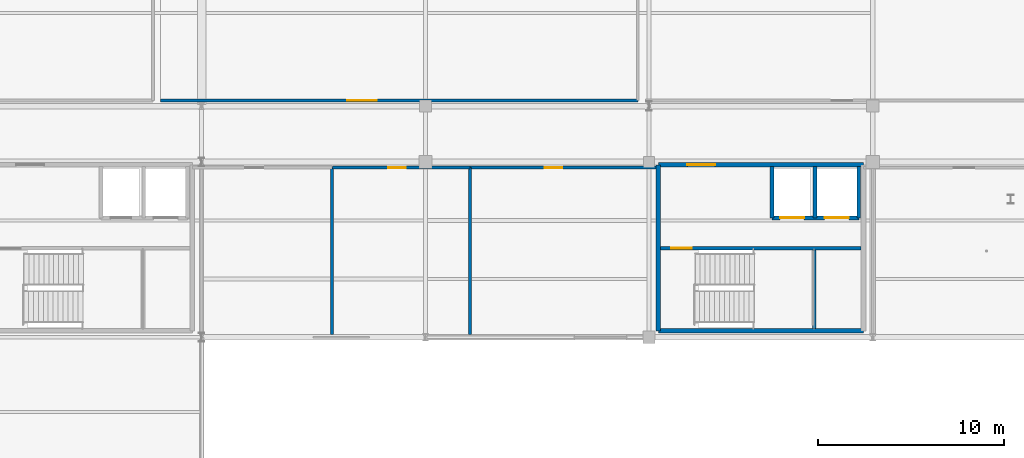
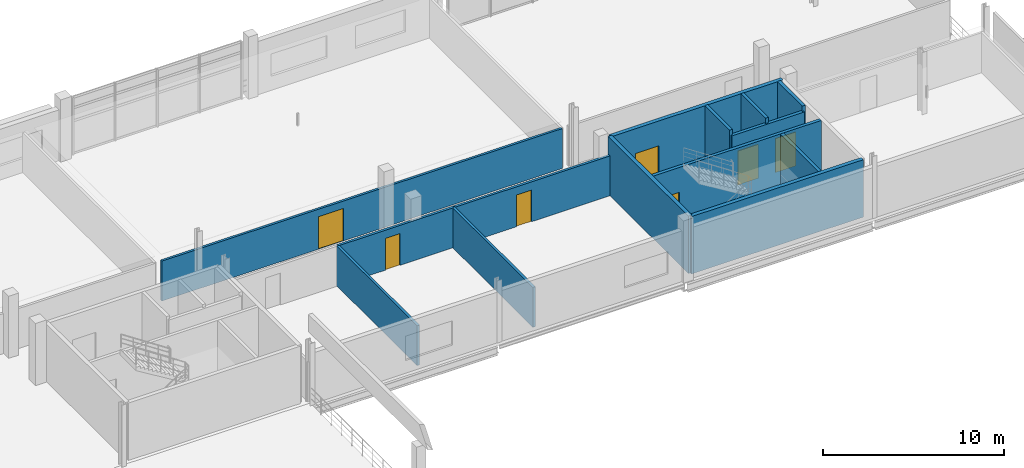
# One storey, part 68 of 89: 14 walls, 7 doors, 7 openings.
"""IFC4 building model written with IfcOpenShell, lengths in metres."""

from ifc_helpers import new_model, si_unit, direction, frame, frame_2d, origin, place, context, subcontext, project, spatial, rectangle, extrude, material, layer, layer_set, type_object, element, fill, save


model = new_model("IFC4")

# Units and contexts
model_context = context("Model", 3, precision=1e-05, world=origin(), true_north=direction((0.0, 1.0)))
body_context = subcontext(model_context, "Body", "Model", "MODEL_VIEW")
ifc_project = project(units=[si_unit("LENGTHUNIT", "METRE"), si_unit("AREAUNIT", "SQUARE_METRE"), si_unit("VOLUMEUNIT", "CUBIC_METRE"), si_unit("PLANEANGLEUNIT", "RADIAN"), si_unit("MASSUNIT", "GRAM", prefix="KILO"), si_unit("THERMODYNAMICTEMPERATUREUNIT", "KELVIN"), si_unit("POWERUNIT", "WATT")], contexts=[model_context])

# Site, building, storey
site_placement = place(None, origin())
site = spatial("IfcSite", under=ifc_project, at=site_placement, CompositionType="ELEMENT")
building_placement = place(site_placement, origin())
building = spatial("IfcBuilding", under=site, at=building_placement, Name="Solmara Park Aquatics Centre", CompositionType="ELEMENT")
storey_placement = place(building_placement, frame((0.0, 0.0, 5.39990234375)))
storey = spatial("IfcBuildingStorey", under=building, at=storey_placement, Name="L01", CompositionType="ELEMENT", Elevation=5.39990234375)

# Wall
ifc_material_1 = material(Name="Concrete C40/50", Category="concrete")
ifc_layer_1 = layer(ifc_material_1, 0.25, Name="Concrete C40/50")
ifc_layer_set_1 = layer_set([ifc_layer_1], Name="Concrete C40/50")
wall_type_1 = type_object("IfcWallType", Name="ARC-WL-CORE250", PredefinedType="SHEAR", material=ifc_layer_set_1)
wall_1_placement = place(storey_placement, frame((85.10009765625, 108.949951171875, 0.0), z_axis=(0.0, 0.0, 1.0), x_axis=(1.0, 0.0, 0.0)))
element("IfcWall", 1, at=wall_1_placement, inside=storey, type_object=wall_type_1, Name="CORE-2 Core Wall S L01", PredefinedType="SHEAR", context=body_context, shape_type="SweptSolid", body=[
    extrude(rectangle(XDim=11.0, YDim=0.25, at=frame_2d((5.5, 0.0))), origin(), (0.0, 0.0, 1.0), 3.880126953125),
])

# Wall, opening, door
wall_2_placement = place(storey_placement, frame((85.10009765625, 117.85009765625, 0.0), z_axis=(0.0, 0.0, 1.0), x_axis=(1.0, 0.0, 0.0)))
wall_2 = element("IfcWall", 2, at=wall_2_placement, inside=storey, type_object=wall_type_1, Name="CORE-2 Core Wall N L01", PredefinedType="SHEAR", context=body_context, shape_type="SweptSolid", body=[
    extrude(rectangle(XDim=11.0, YDim=0.25, at=frame_2d((5.5, 0.0))), origin(), (0.0, 0.0, 1.0), 3.880126953125),
])
opening_1_placement = place(wall_2_placement, frame((1.550048828125, 0.0, 0.0)))
opening_1 = element("IfcOpeningElement", 3, at=opening_1_placement, cuts=wall_2, Name="Opening D-12", PredefinedType="OPENING", context=body_context, shape_type="SweptSolid", body=[
    extrude(rectangle(XDim=1.5, YDim=2.199951171875, at=frame_2d((0.75, 1.10009765625))), frame((0.0, 0.135009765625, 0.0), z_axis=(0.0, -1.0, 0.0), x_axis=(1.0, 0.0, 0.0)), (0.0, 0.0, 1.0), 0.27001953125),
])
ifc_material_2 = material(Name="Moisture-Resistant HPL & Hardwood", Category="wood")
door_type_1 = type_object("IfcDoorType", Name="ARC-DR-FD150x220", OperationType="DOUBLE_DOOR_SINGLE_SWING", PredefinedType="DOOR", material=ifc_material_2)
door_1_placement = place(opening_1_placement, origin())
door_1 = element("IfcDoor", 4, at=door_1_placement, inside=storey, type_object=door_type_1, Name="CORE-2 Lobby Entry Fire Door L01", OperationType="DOUBLE_DOOR_SINGLE_SWING", OverallHeight=2.199951171875, OverallWidth=1.5, PredefinedType="DOOR", context=body_context, shape_type="SweptSolid", body=[
    extrude(rectangle(XDim=1.5, YDim=2.199951171875, at=frame_2d((0.75, 1.10009765625))), frame((0.0, 0.02490234375, 0.0), z_axis=(0.0, -1.0, 0.0), x_axis=(1.0, 0.0, 0.0)), (0.0, 0.0, 1.0), 0.050048828125),
])
fill(opening_1, door_1)

# Wall
wall_3_placement = place(storey_placement, frame((85.10009765625, 108.949951171875, 0.0), z_axis=(0.0, 0.0, 1.0), x_axis=(0.0, 1.0, 0.0)))
element("IfcWall", 5, at=wall_3_placement, inside=storey, type_object=wall_type_1, Name="CORE-2 Core Wall W L01", PredefinedType="SHEAR", context=body_context, shape_type="SweptSolid", body=[
    extrude(rectangle(XDim=8.900146484375, YDim=0.25, at=frame_2d((4.4501953125, 0.0))), origin(), (0.0, 0.0, 1.0), 3.880126953125),
])

# Wall, openings, doors
ifc_material_3 = material(Name="Concrete C25/30 Autoclaved Aerated Fire Blockwork", Category="masonry")
ifc_layer_2 = layer(ifc_material_3, 0.199951171875, Name="Concrete C25/30 Autoclaved Aerated Fire Blockwork")
ifc_layer_set_2 = layer_set([ifc_layer_2], Name="Concrete C25/30 Autoclaved Aerated Fire Blockwork")
wall_type_2 = type_object("IfcWallType", Name="ARC-WL-FIRE200", PredefinedType="SOLIDWALL", material=ifc_layer_set_2)
wall_4_placement = place(storey_placement, frame((91.199951171875, 115.0, 0.0), z_axis=(0.0, 0.0, 1.0), x_axis=(1.0, 0.0, 0.0)))
wall_4 = element("IfcWall", 6, at=wall_4_placement, inside=storey, type_object=wall_type_2, Name="CORE-2 Lift Shaft Front Wall L01", PredefinedType="SOLIDWALL", context=body_context, shape_type="SweptSolid", body=[
    extrude(rectangle(XDim=4.650146484375, YDim=0.199951171875, at=frame_2d((2.3251953125, 0.0))), origin(), (0.0, 0.0, 1.0), 3.52001953125),
])
opening_2_placement = place(wall_4_placement, frame((2.824951171875, 0.0, 0.0)))
opening_2 = element("IfcOpeningElement", 7, at=opening_2_placement, cuts=wall_4, Name="Opening D-10", PredefinedType="OPENING", context=body_context, shape_type="SweptSolid", body=[
    extrude(rectangle(XDim=1.300048828125, YDim=2.300048828125, at=frame_2d((0.64990234375, 1.14990234375))), frame((0.0, 0.10986328125, 0.0), z_axis=(0.0, -1.0, 0.0), x_axis=(1.0, 0.0, 0.0)), (0.0, 0.0, 1.0), 0.219970703125),
])
opening_3_placement = place(wall_4_placement, frame((0.425048828125, 0.0, 0.0)))
opening_3 = element("IfcOpeningElement", 8, at=opening_3_placement, cuts=wall_4, Name="Opening D-10", PredefinedType="OPENING", context=body_context, shape_type="SweptSolid", body=[
    extrude(rectangle(XDim=1.300048828125, YDim=2.300048828125, at=frame_2d((0.64990234375, 1.14990234375))), frame((0.0, 0.10986328125, 0.0), z_axis=(0.0, -1.0, 0.0), x_axis=(1.0, 0.0, 0.0)), (0.0, 0.0, 1.0), 0.219970703125),
])
ifc_material_4 = material(Name="Stainless Steel", Category="steel")
door_type_2 = type_object("IfcDoorType", Name="ARC-DR-LD130x230", OperationType="DOUBLE_DOOR_SLIDING", PredefinedType="DOOR", material=ifc_material_4)
door_2_placement = place(opening_2_placement, frame((1.300048828125, 0.0, 0.0), z_axis=(0.0, 0.0, 1.0), x_axis=(-1.0, 0.0, 0.0)))
door_2 = element("IfcDoor", 9, at=door_2_placement, inside=storey, type_object=door_type_2, Name="LF-03 Lift Landing Door L01", OperationType="DOUBLE_DOOR_SLIDING", OverallHeight=2.300048828125, OverallWidth=1.300048828125, PredefinedType="DOOR", context=body_context, shape_type="SweptSolid", body=[
    extrude(rectangle(XDim=1.300048828125, YDim=2.300048828125, at=frame_2d((0.64990234375, 1.14990234375))), frame((0.0, 0.02490234375, 0.0), z_axis=(0.0, -1.0, 0.0), x_axis=(1.0, 0.0, 0.0)), (0.0, 0.0, 1.0), 0.050048828125),
])
fill(opening_2, door_2)
door_3_placement = place(opening_3_placement, frame((1.300048828125, 0.0, 0.0), z_axis=(0.0, 0.0, 1.0), x_axis=(-1.0, 0.0, 0.0)))
door_3 = element("IfcDoor", 10, at=door_3_placement, inside=storey, type_object=door_type_2, Name="LF-04 Lift Landing Door L01", OperationType="DOUBLE_DOOR_SLIDING", OverallHeight=2.300048828125, OverallWidth=1.300048828125, PredefinedType="DOOR", context=body_context, shape_type="SweptSolid", body=[
    extrude(rectangle(XDim=1.300048828125, YDim=2.300048828125, at=frame_2d((0.64990234375, 1.14990234375))), frame((0.0, 0.02490234375, 0.0), z_axis=(0.0, -1.0, 0.0), x_axis=(1.0, 0.0, 0.0)), (0.0, 0.0, 1.0), 0.050048828125),
])
fill(opening_3, door_3)

# Walls
for number, where, z_axis, x_axis, name in (
    (11, (93.5, 115.0, 0.0), (0.0, 0.0, 1.0), (0.0, 1.0, 0.0), "LF-03 Lift Shaft W Wall L01"),
    (12, (95.85009765625, 115.0, 0.0), (0.0, 0.0, 1.0), (0.0, 1.0, 0.0), "LF-03 Lift Shaft E Wall L01"),
    (13, (91.199951171875, 115.0, 0.0), (0.0, 0.0, 1.0), (0.0, 1.0, 0.0), "LF-04 Lift Shaft W Wall L01"),
):
    element("IfcWall", number, at=place(storey_placement, frame(where, z_axis=z_axis, x_axis=x_axis)), inside=storey, type_object=wall_type_2, Name=name, PredefinedType="SOLIDWALL", context=body_context, shape_type="SweptSolid", body=[
        extrude(rectangle(XDim=2.75, YDim=0.199951171875, at=frame_2d((1.375, 0.0))), origin(), (0.0, 0.0, 1.0), 3.880126953125),
    ])

# Wall, opening, door
ifc_material_5 = material(Name="Cement-Rendered Masonry Partition", Category="masonry")
ifc_layer_3 = layer(ifc_material_5, 0.14990234375, Name="Cement-Rendered Masonry Partition")
ifc_layer_set_3 = layer_set([ifc_layer_3], Name="Cement-Rendered Masonry Partition")
wall_type_3 = type_object("IfcWallType", Name="ARC-WL-MAS150", PredefinedType="PARTITIONING", material=ifc_layer_set_3)
wall_5_placement = place(storey_placement, frame((58.39990234375, 121.300048828125, 0.0), z_axis=(0.0, 0.0, 1.0), x_axis=(1.0, 0.0, 0.0)))
wall_5 = element("IfcWall", 14, at=wall_5_placement, inside=storey, type_object=wall_type_3, Name="Interior Partition IW-L01-0097 (L01-GYM-02)", PredefinedType="PARTITIONING", context=body_context, shape_type="SweptSolid", body=[
    extrude(rectangle(XDim=25.60009765625, YDim=0.14990234375, at=frame_2d((12.800048828125, 0.0))), origin(), (0.0, 0.0, 1.0), 2.7001953125),
])
opening_4_placement = place(wall_5_placement, frame((10.0, 0.0, 0.0)))
opening_4 = element("IfcOpeningElement", 15, at=opening_4_placement, cuts=wall_5, Name="Opening D-19", PredefinedType="OPENING", context=body_context, shape_type="SweptSolid", body=[
    extrude(rectangle(XDim=1.60009765625, YDim=2.199951171875, at=frame_2d((0.800048828125, 1.10009765625))), frame((0.0, 0.0849609375, 0.0), z_axis=(0.0, -1.0, 0.0), x_axis=(1.0, 0.0, 0.0)), (0.0, 0.0, 1.0), 0.169921875),
])
door_type_3 = type_object("IfcDoorType", Name="ARC-DR-DBL160x220", OperationType="DOUBLE_DOOR_SINGLE_SWING", PredefinedType="DOOR", material=ifc_material_2)
door_4_placement = place(opening_4_placement, origin())
door_4 = element("IfcDoor", 16, at=door_4_placement, inside=storey, type_object=door_type_3, Name="Cardio, Rowing Ergometer and Aerobic Studio Door", OperationType="DOUBLE_DOOR_SINGLE_SWING", OverallHeight=2.199951171875, OverallWidth=1.60009765625, PredefinedType="DOOR", context=body_context, shape_type="SweptSolid", body=[
    extrude(rectangle(XDim=1.60009765625, YDim=2.199951171875, at=frame_2d((0.800048828125, 1.10009765625))), frame((0.0, 0.02490234375, 0.0), z_axis=(0.0, -1.0, 0.0), x_axis=(1.0, 0.0, 0.0)), (0.0, 0.0, 1.0), 0.050048828125),
])
fill(opening_4, door_4)

# Walls
ifc_material_6 = material(Name="Waterproof Tile-Faced Wet-Area Plumbing Wall", Category="concrete")
ifc_layer_4 = layer(ifc_material_6, 0.159912109375, Name="Waterproof Tile-Faced Wet-Area Plumbing Wall")
ifc_layer_set_4 = layer_set([ifc_layer_4], Name="Waterproof Tile-Faced Wet-Area Plumbing Wall")
wall_type_4 = type_object("IfcWallType", Name="ARC-WL-WET160", PredefinedType="PLUMBINGWALL", material=ifc_layer_set_4)
for number, where, z_axis, x_axis, name in (
    (17, (67.60009765625, 108.75, 0.0), (0.0, 0.0, 1.0), (0.0, 1.0, 0.0), "Interior Partition IW-L01-0103 (L01-WCM-01)"),
    (18, (75.0, 108.75, 0.0), (0.0, 0.0, 1.0), (0.0, 1.0, 0.0), "Interior Partition IW-L01-0105 (L01-WCF-01)"),
):
    element("IfcWall", number, at=place(storey_placement, frame(where, z_axis=z_axis, x_axis=x_axis)), inside=storey, type_object=wall_type_4, Name=name, PredefinedType="PLUMBINGWALL", context=body_context, shape_type="SweptSolid", body=[
        extrude(rectangle(XDim=8.949951171875, YDim=0.159912109375, at=frame_2d((4.47509765625, 0.0))), origin(), (0.0, 0.0, 1.0), 2.7001953125),
    ])

# Wall, opening, door
wall_6_placement = place(storey_placement, frame((67.610107421875, 117.699951171875, 0.0), z_axis=(0.0, 0.0, 1.0), x_axis=(1.0, 0.0, 0.0)))
wall_6 = element("IfcWall", 19, at=wall_6_placement, inside=storey, type_object=wall_type_4, Name="Interior Partition IW-L01-0106 (L01-WCF-01)", PredefinedType="PLUMBINGWALL", context=body_context, shape_type="SweptSolid", body=[
    extrude(rectangle(XDim=7.389892578125, YDim=0.159912109375, at=frame_2d((3.69482421875, 0.0))), origin(), (0.0, 0.0, 1.0), 2.7001953125),
])
opening_5_placement = place(wall_6_placement, frame((2.989990234375, 0.0, 0.0)))
opening_5 = element("IfcOpeningElement", 20, at=opening_5_placement, cuts=wall_6, Name="Opening D-18", PredefinedType="OPENING", context=body_context, shape_type="SweptSolid", body=[
    extrude(rectangle(XDim=0.949951171875, YDim=2.14990234375, at=frame_2d((0.47509765625, 1.074951171875))), frame((0.0, 0.08984375, 0.0), z_axis=(0.0, -1.0, 0.0), x_axis=(1.0, 0.0, 0.0)), (0.0, 0.0, 1.0), 0.179931640625),
])
door_type_4 = type_object("IfcDoorType", Name="ARC-DR-WC95x220", OperationType="NOTDEFINED", PredefinedType="DOOR", material=ifc_material_2)
door_5_placement = place(opening_5_placement, origin())
door_5 = element("IfcDoor", 21, at=door_5_placement, inside=storey, type_object=door_type_4, Name="L01 Spectator and Gym Female Toilet Door", OperationType="SINGLE_SWING_LEFT", OverallHeight=2.14990234375, OverallWidth=0.949951171875, PredefinedType="DOOR", context=body_context, shape_type="SweptSolid", body=[
    extrude(rectangle(XDim=0.949951171875, YDim=2.14990234375, at=frame_2d((0.47509765625, 1.074951171875))), frame((0.0, 0.02490234375, 0.0), z_axis=(0.0, -1.0, 0.0), x_axis=(1.0, 0.0, 0.0)), (0.0, 0.0, 1.0), 0.050048828125),
])
fill(opening_5, door_5)

wall_7_placement = place(storey_placement, frame((75.010009765625, 117.699951171875, 0.0), z_axis=(0.0, 0.0, 1.0), x_axis=(1.0, 0.0, 0.0)))
wall_7 = element("IfcWall", 22, at=wall_7_placement, inside=storey, type_object=wall_type_4, Name="Interior Partition IW-L01-0107 (L01-WCA-01)", PredefinedType="PLUMBINGWALL", context=body_context, shape_type="SweptSolid", body=[
    extrude(rectangle(XDim=9.965087890625, YDim=0.159912109375, at=frame_2d((4.982421875, 0.0))), origin(), (0.0, 0.0, 1.0), 2.7001953125),
])
opening_6_placement = place(wall_7_placement, frame((3.989990234375, 0.0, 0.0)))
opening_6 = element("IfcOpeningElement", 23, at=opening_6_placement, cuts=wall_7, Name="Opening D-18", PredefinedType="OPENING", context=body_context, shape_type="SweptSolid", body=[
    extrude(rectangle(XDim=0.949951171875, YDim=2.14990234375, at=frame_2d((0.47509765625, 1.074951171875))), frame((0.0, 0.08984375, 0.0), z_axis=(0.0, -1.0, 0.0), x_axis=(1.0, 0.0, 0.0)), (0.0, 0.0, 1.0), 0.179931640625),
])
door_6_placement = place(opening_6_placement, origin())
door_6 = element("IfcDoor", 24, at=door_6_placement, inside=storey, type_object=door_type_4, Name="L01 Accessible WC Door", OperationType="SINGLE_SWING_RIGHT", OverallHeight=2.14990234375, OverallWidth=0.949951171875, PredefinedType="DOOR", context=body_context, shape_type="SweptSolid", body=[
    extrude(rectangle(XDim=0.949951171875, YDim=2.14990234375, at=frame_2d((0.47509765625, 1.074951171875))), frame((0.0, 0.02490234375, 0.0), z_axis=(0.0, -1.0, 0.0), x_axis=(1.0, 0.0, 0.0)), (0.0, 0.0, 1.0), 0.050048828125),
])
fill(opening_6, door_6)

ifc_material_7 = material(Name="Concrete C35/45", Category="concrete")
ifc_layer_5 = layer(ifc_material_7, 0.199951171875, Name="Concrete C35/45")
ifc_layer_set_5 = layer_set([ifc_layer_5], Name="Concrete C35/45")
wall_type_5 = type_object("IfcWallType", Name="STR-WL-STAIR200", PredefinedType="SHEAR", material=ifc_layer_set_5)
wall_8_placement = place(storey_placement, frame((85.219970703125, 113.375, 0.0), z_axis=(0.0, 0.0, 1.0), x_axis=(1.0, 0.0, 0.0)))
wall_8 = element("IfcWall", 25, at=wall_8_placement, inside=storey, type_object=wall_type_5, Name="CORE-2 Stairwell Compartment Wall L01", PredefinedType="SHEAR", context=body_context, shape_type="SweptSolid", body=[
    extrude(rectangle(XDim=10.760009765625, YDim=0.199951171875, at=frame_2d((5.3798828125, 0.0))), origin(), (0.0, 0.0, 1.0), 3.880126953125),
])
opening_7_placement = place(wall_8_placement, frame((0.580078125, 0.0, 0.0)))
opening_7 = element("IfcOpeningElement", 26, at=opening_7_placement, cuts=wall_8, Name="Opening D-11", PredefinedType="OPENING", context=body_context, shape_type="SweptSolid", body=[
    extrude(rectangle(XDim=1.10009765625, YDim=2.199951171875, at=frame_2d((0.550048828125, 1.10009765625))), frame((0.0, 0.10986328125, 0.0), z_axis=(0.0, -1.0, 0.0), x_axis=(1.0, 0.0, 0.0)), (0.0, 0.0, 1.0), 0.219970703125),
])
door_type_5 = type_object("IfcDoorType", Name="ARC-DR-FD110x220", OperationType="NOTDEFINED", PredefinedType="DOOR", material=ifc_material_2)
door_7_placement = place(opening_7_placement, origin())
door_7 = element("IfcDoor", 27, at=door_7_placement, inside=storey, type_object=door_type_5, Name="ST-02 Fire Door L01", OperationType="SINGLE_SWING_LEFT", OverallHeight=2.199951171875, OverallWidth=1.10009765625, PredefinedType="DOOR", context=body_context, shape_type="SweptSolid", body=[
    extrude(rectangle(XDim=1.10009765625, YDim=2.199951171875, at=frame_2d((0.550048828125, 1.10009765625))), frame((0.0, 0.02490234375, 0.0), z_axis=(0.0, -1.0, 0.0), x_axis=(1.0, 0.0, 0.0)), (0.0, 0.0, 1.0), 0.050048828125),
])
fill(opening_7, door_7)

# Wall
wall_9_placement = place(storey_placement, frame((93.4599609375, 109.070068359375, 0.0), z_axis=(0.0, 0.0, 1.0), x_axis=(0.0, 1.0, 0.0)))
element("IfcWall", 28, at=wall_9_placement, inside=storey, type_object=wall_type_5, Name="CORE-2 Stairwell East End Wall L01", PredefinedType="SHEAR", context=body_context, shape_type="SweptSolid", body=[
    extrude(rectangle(XDim=4.204833984375, YDim=0.199951171875, at=frame_2d((2.1025390625, 0.0))), origin(), (0.0, 0.0, 1.0), 3.880126953125),
])

save(model, "model.ifc")
